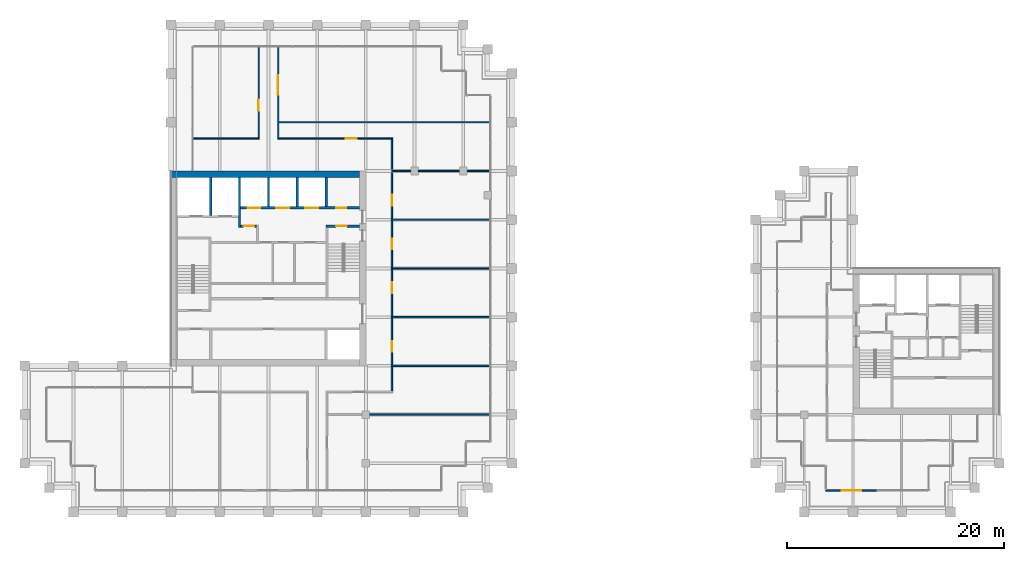
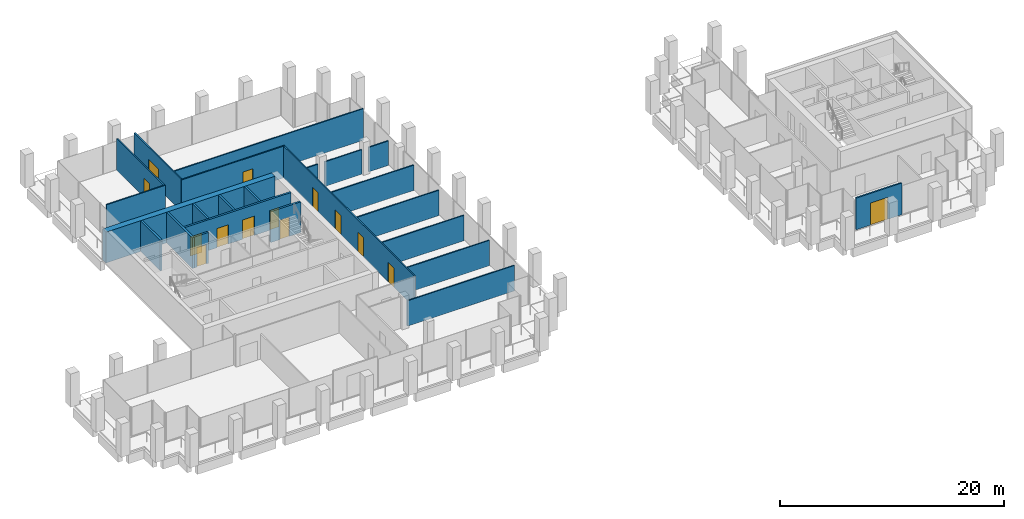
# One storey, part 37 of 40: 24 walls, 14 doors, 14 openings.
"""IFC4 building model written with IfcOpenShell, lengths in metres."""

from ifc_helpers import new_model, si_unit, direction, frame, frame_2d, origin, place, context, subcontext, project, spatial, rectangle, extrude, material, layer, layer_set, type_object, element, fill, save


model = new_model("IFC4")

# Units and contexts
model_context = context("Model", 3, precision=1e-05, world=origin(), true_north=direction((0.0, 1.0)))
body_context = subcontext(model_context, "Body", "Model", "MODEL_VIEW")
ifc_project = project(units=[si_unit("LENGTHUNIT", "METRE"), si_unit("AREAUNIT", "SQUARE_METRE"), si_unit("VOLUMEUNIT", "CUBIC_METRE"), si_unit("PLANEANGLEUNIT", "RADIAN"), si_unit("MASSUNIT", "GRAM", prefix="KILO")], contexts=[model_context])

# Site, building, storey
site_placement = place(None, origin())
site = spatial("IfcSite", under=ifc_project, at=site_placement, CompositionType="ELEMENT")
building_placement = place(site_placement, origin())
building = spatial("IfcBuilding", under=site, at=building_placement, Name="Altepetl Exchange Towers", CompositionType="ELEMENT")
storey_placement = place(building_placement, frame((0.0, 0.0, 176.199951171875)))
storey = spatial("IfcBuildingStorey", under=building, at=storey_placement, Name="L44", CompositionType="ELEMENT", Elevation=176.199951171875)

# Wall
ifc_material_1 = material(Name="Concrete C70/85", Category="concrete")
ifc_layer_1 = layer(ifc_material_1, 0.60009765625)
ifc_layer_set_1 = layer_set([ifc_layer_1], Name="Concrete C70/85")
wall_type_1 = type_object("IfcWallType", Name="Core wall 600 reinforced concrete", PredefinedType="SHEAR", material=ifc_layer_set_1)
wall_1_placement = place(storey_placement, frame((40.5, 58.199951171875, 0.0)))
element("IfcWall", 1, at=wall_1_placement, inside=storey, type_object=wall_type_1, Name="wall:A:L44:K-coreN", PredefinedType="SHEAR", context=body_context, shape_type="SweptSolid", body=[
    extrude(rectangle(XDim=17.39990234375, YDim=0.60009765625, at=frame_2d((8.699951171875, 0.0))), origin(), (0.0, 0.0, 1.0), 3.35009765625),
])

# Wall, opening, door
ifc_material_2 = material(Name="Aluminium composite cladding", Category="aluminium")
ifc_layer_2 = layer(ifc_material_2, 0.14990234375)
ifc_layer_set_2 = layer_set([ifc_layer_2], Name="Aluminium composite cladding")
wall_type_2 = type_object("IfcWallType", Name="Infill wall 150 aluminium panel", PredefinedType="SOLIDWALL", material=ifc_layer_set_2)
wall_2_placement = place(storey_placement, frame((101.0, 29.0, 0.0)))
wall_2 = element("IfcWall", 2, at=wall_2_placement, inside=storey, type_object=wall_type_2, Name="Loggia door bay wall", PredefinedType="SOLIDWALL", context=body_context, shape_type="SweptSolid", body=[
    extrude(rectangle(XDim=4.71240234375, YDim=0.14990234375, at=frame_2d((2.356201171875, 0.0))), origin(), (0.0, 0.0, 1.0), 3.449951171875),
])
opening_1_placement = place(wall_2_placement, frame((1.456298828125, 0.0, 0.0)))
opening_1 = element("IfcOpeningElement", 3, at=opening_1_placement, cuts=wall_2, Name="Opening L44.B90", PredefinedType="OPENING", context=body_context, shape_type="SweptSolid", body=[
    extrude(rectangle(XDim=1.800048828125, YDim=2.39990234375, at=frame_2d((0.89990234375, 1.199951171875))), frame((0.0, 0.0849609375, 0.0), z_axis=(0.0, -1.0, 0.0), x_axis=(1.0, 0.0, 0.0)), (0.0, 0.0, 1.0), 0.169921875),
])
ifc_material_3 = material(Name="Aluminium 6063-T6 and glass", Category="aluminium")
door_type_1 = type_object("IfcDoorType", Name="Glazed door pair 1800x2400", OperationType="DOUBLE_DOOR_DOUBLE_SWING", PredefinedType="NOTDEFINED", material=ifc_material_3)
door_1_placement = place(opening_1_placement, frame((1.800048828125, 0.0, 0.0), x_axis=(-1.0, 0.0, 0.0)))
door_1 = element("IfcDoor", 4, at=door_1_placement, inside=storey, type_object=door_type_1, Name="Loggia door", OperationType="DOUBLE_DOOR_DOUBLE_SWING", OverallHeight=2.39990234375, OverallWidth=1.800048828125, PredefinedType="NOTDEFINED", context=body_context, shape_type="SweptSolid", body=[
    extrude(rectangle(XDim=1.800048828125, YDim=2.39990234375, at=frame_2d((0.89990234375, 1.199951171875))), frame((0.0, 0.02490234375, 0.0), z_axis=(0.0, -1.0, 0.0), x_axis=(1.0, 0.0, 0.0)), (0.0, 0.0, 1.0), 0.050048828125),
])
fill(opening_1, door_1)

ifc_material_4 = material(Name="Concrete blockwork", Category="masonry")
ifc_layer_3 = layer(ifc_material_4, 0.199951171875)
ifc_layer_set_3 = layer_set([ifc_layer_3], Name="Concrete blockwork")
wall_type_3 = type_object("IfcWallType", Name="Lobby wall 200 blockwork", PredefinedType="PARTITIONING", material=ifc_layer_set_3)
wall_3_placement = place(storey_placement, frame((46.933349609375, 53.39990234375, 0.0)))
wall_3 = element("IfcWall", 5, at=wall_3_placement, inside=storey, type_object=wall_type_3, Name="wall:A:L44:K-ffN", PredefinedType="PARTITIONING", context=body_context, shape_type="SweptSolid", body=[
    extrude(rectangle(XDim=1.466552734375, YDim=0.199951171875, at=frame_2d((0.7333984375, 0.0))), origin(), (0.0, 0.0, 1.0), 3.35009765625),
])
opening_2_placement = place(wall_3_placement, frame((0.2666015625, 0.0, 0.0)))
opening_2 = element("IfcOpeningElement", 6, at=opening_2_placement, cuts=wall_3, Name="Opening L44.A65", PredefinedType="OPENING", context=body_context, shape_type="SweptSolid", body=[
    extrude(rectangle(XDim=1.0, YDim=2.10009765625, at=frame_2d((0.5, 1.050048828125))), frame((0.0, 0.10986328125, 0.0), z_axis=(0.0, -1.0, 0.0), x_axis=(1.0, 0.0, 0.0)), (0.0, 0.0, 1.0), 0.219970703125),
])
ifc_material_5 = material(Name="Steel and timber fire door", Category="steel")
door_type_2 = type_object("IfcDoorType", Name="Fire door 1000 x 2100 stair and lobby", OperationType="SINGLE_SWING_LEFT", PredefinedType="DOOR", material=ifc_material_5)
door_2_placement = place(opening_2_placement, frame((1.0, 0.0, 0.0), x_axis=(-1.0, 0.0, 0.0)))
door_2 = element("IfcDoor", 7, at=door_2_placement, inside=storey, type_object=door_type_2, Name="door:A:L44:K-dffN", OperationType="SINGLE_SWING_RIGHT", OverallHeight=2.10009765625, OverallWidth=1.0, PredefinedType="DOOR", context=body_context, shape_type="SweptSolid", body=[
    extrude(rectangle(XDim=1.0, YDim=2.10009765625, at=frame_2d((0.5, 1.050048828125))), frame((0.0, 0.02490234375, 0.0), z_axis=(0.0, -1.0, 0.0), x_axis=(1.0, 0.0, 0.0)), (0.0, 0.0, 1.0), 0.050048828125),
])
fill(opening_2, door_2)

# Walls
ifc_material_6 = material(Name="Timber panels on aluminium track", Category="wood")
ifc_layer_4 = layer(ifc_material_6, 0.125)
ifc_layer_set_4 = layer_set([ifc_layer_4], Name="Timber panels on aluminium track")
wall_type_4 = type_object("IfcWallType", Name="Operable acoustic partition 125", PredefinedType="MOVABLE", material=ifc_layer_set_4)
wall_4_placement = place(storey_placement, frame((60.89990234375, 45.0, 0.0)))
element("IfcWall", 8, at=wall_4_placement, inside=storey, type_object=wall_type_4, Name="wall:A:L44:P06", PredefinedType="MOVABLE", context=body_context, shape_type="SweptSolid", body=[
    extrude(rectangle(XDim=9.0, YDim=0.125, at=frame_2d((4.5, 0.0))), origin(), (0.0, 0.0, 1.0), 2.76611328125),
])
ifc_material_7 = material(Name="Gypsum board on steel studs", Category="steel")
ifc_layer_5 = layer(ifc_material_7, 0.125)
ifc_layer_set_5 = layer_set([ifc_layer_5], Name="Gypsum board on steel studs")
wall_type_5 = type_object("IfcWallType", Name="Partition 125 gypsum board on steel studs", PredefinedType="PARTITIONING", material=ifc_layer_set_5)
wall_5_placement = place(storey_placement, frame((58.85009765625, 36.0, 0.0)))
element("IfcWall", 9, at=wall_5_placement, inside=storey, type_object=wall_type_5, Name="wall:A:L44:P02", PredefinedType="PARTITIONING", context=body_context, shape_type="SweptSolid", body=[
    extrude(rectangle(XDim=11.0498046875, YDim=0.125, at=frame_2d((5.52490234375, 0.0))), origin(), (0.0, 0.0, 1.0), 2.76611328125),
])
for number, where, name in (
    (10, (60.89990234375, 40.5, 0.0), "wall:A:L44:P05"),
    (11, (60.89990234375, 49.5, 0.0), "wall:A:L44:P07"),
    (12, (60.89990234375, 54.0, 0.0), "wall:A:L44:P08"),
):
    element("IfcWall", number, at=place(storey_placement, frame(where)), inside=storey, type_object=wall_type_5, Name=name, PredefinedType="PARTITIONING", context=body_context, shape_type="SweptSolid", body=[
        extrude(rectangle(XDim=9.0, YDim=0.125, at=frame_2d((4.5, 0.0))), origin(), (0.0, 0.0, 1.0), 2.76611328125),
    ])
wall_6_placement = place(storey_placement, frame((60.89990234375, 58.5, 0.0)))
element("IfcWall", 13, at=wall_6_placement, inside=storey, type_object=wall_type_5, Name="wall:A:L44:P09", PredefinedType="PARTITIONING", context=body_context, shape_type="SweptSolid", body=[
    extrude(rectangle(XDim=1.75, YDim=0.125, at=frame_2d((0.875, 0.0))), origin(), (0.0, 0.0, 1.0), 2.676025390625),
])
wall_7_placement = place(storey_placement, frame((63.35009765625, 58.5, 0.0)))
element("IfcWall", 14, at=wall_7_placement, inside=storey, type_object=wall_type_5, Name="wall:A:L44:P10", PredefinedType="PARTITIONING", context=body_context, shape_type="SweptSolid", body=[
    extrude(rectangle(XDim=3.7998046875, YDim=0.125, at=frame_2d((1.89990234375, 0.0))), origin(), (0.0, 0.0, 1.0), 2.676025390625),
])
wall_8_placement = place(storey_placement, frame((67.85009765625, 58.5, 0.0)))
element("IfcWall", 15, at=wall_8_placement, inside=storey, type_object=wall_type_5, Name="wall:A:L44:P11", PredefinedType="PARTITIONING", context=body_context, shape_type="SweptSolid", body=[
    extrude(rectangle(XDim=2.0498046875, YDim=0.125, at=frame_2d((1.02490234375, 0.0))), origin(), (0.0, 0.0, 1.0), 2.676025390625),
])
wall_9_placement = place(storey_placement, frame((42.60009765625, 61.5, 0.0)))
element("IfcWall", 16, at=wall_9_placement, inside=storey, type_object=wall_type_5, Name="wall:A:L44:P12", PredefinedType="PARTITIONING", context=body_context, shape_type="SweptSolid", body=[
    extrude(rectangle(XDim=6.0625, YDim=0.125, at=frame_2d((3.03125, 0.0))), origin(), (0.0, 0.0, 1.0), 3.449951171875),
])

# Wall, opening, door
wall_10_placement = place(storey_placement, frame((50.33740234375, 61.5, 0.0)))
wall_10 = element("IfcWall", 17, at=wall_10_placement, inside=storey, type_object=wall_type_5, Name="wall:A:L44:P13", PredefinedType="PARTITIONING", context=body_context, shape_type="SweptSolid", body=[
    extrude(rectangle(XDim=10.625, YDim=0.125, at=frame_2d((5.3125, 0.0))), origin(), (0.0, 0.0, 1.0), 3.449951171875),
])
opening_3_placement = place(wall_10_placement, frame((6.3173828125, 0.0, 0.0)))
opening_3 = element("IfcOpeningElement", 18, at=opening_3_placement, cuts=wall_10, Name="Opening L44.A09", PredefinedType="OPENING", context=body_context, shape_type="SweptSolid", body=[
    extrude(rectangle(XDim=1.0, YDim=2.10009765625, at=frame_2d((0.5, 1.050048828125))), frame((0.0, 0.072509765625, 0.0), z_axis=(0.0, -1.0, 0.0), x_axis=(1.0, 0.0, 0.0)), (0.0, 0.0, 1.0), 0.14501953125),
])
door_type_3 = type_object("IfcDoorType", Name="Fire door 1000 x 2100 single leaf", OperationType="SINGLE_SWING_LEFT", PredefinedType="DOOR", material=ifc_material_5)
door_3_placement = place(opening_3_placement, frame((1.0, 0.0, 0.0), x_axis=(-1.0, 0.0, 0.0)))
door_3 = element("IfcDoor", 19, at=door_3_placement, inside=storey, type_object=door_type_3, Name="door:A:L44:09", OperationType="SINGLE_SWING_LEFT", OverallHeight=2.10009765625, OverallWidth=1.0, PredefinedType="DOOR", context=body_context, shape_type="SweptSolid", body=[
    extrude(rectangle(XDim=1.0, YDim=2.10009765625, at=frame_2d((0.5, 1.050048828125))), frame((0.0, 0.02490234375, 0.0), z_axis=(0.0, -1.0, 0.0), x_axis=(1.0, 0.0, 0.0)), (0.0, 0.0, 1.0), 0.050048828125),
])
fill(opening_3, door_3)

# Wall
wall_11_placement = place(storey_placement, frame((50.39990234375, 63.0, 0.0)))
element("IfcWall", 20, at=wall_11_placement, inside=storey, type_object=wall_type_5, Name="wall:A:L44:P14", PredefinedType="PARTITIONING", context=body_context, shape_type="SweptSolid", body=[
    extrude(rectangle(XDim=19.5, YDim=0.125, at=frame_2d((9.75, 0.0))), origin(), (0.0, 0.0, 1.0), 3.449951171875),
])

# Wall, opening, door
wall_12_placement = place(storey_placement, frame((48.60009765625, 61.5625, 0.0), z_axis=(0.0, 0.0, 1.0), x_axis=(0.0, 1.0, 0.0)))
wall_12 = element("IfcWall", 21, at=wall_12_placement, inside=storey, type_object=wall_type_5, Name="wall:A:L44:P17", PredefinedType="PARTITIONING", context=body_context, shape_type="SweptSolid", body=[
    extrude(rectangle(XDim=8.33740234375, YDim=0.125, at=frame_2d((4.168701171875, 0.0))), origin(), (0.0, 0.0, 1.0), 3.449951171875),
])
opening_4_placement = place(wall_12_placement, frame((2.49951171875, 0.0, 0.0)))
opening_4 = element("IfcOpeningElement", 22, at=opening_4_placement, cuts=wall_12, Name="Opening L44.A11", PredefinedType="OPENING", context=body_context, shape_type="SweptSolid", body=[
    extrude(rectangle(XDim=1.0, YDim=2.10009765625, at=frame_2d((0.5, 1.050048828125))), frame((0.0, 0.072509765625, 0.0), z_axis=(0.0, -1.0, 0.0), x_axis=(1.0, 0.0, 0.0)), (0.0, 0.0, 1.0), 0.14501953125),
])
door_4_placement = place(opening_4_placement, origin())
door_4 = element("IfcDoor", 23, at=door_4_placement, inside=storey, type_object=door_type_3, Name="door:A:L44:11", OperationType="SINGLE_SWING_RIGHT", OverallHeight=2.10009765625, OverallWidth=1.0, PredefinedType="DOOR", context=body_context, shape_type="SweptSolid", body=[
    extrude(rectangle(XDim=1.0, YDim=2.10009765625, at=frame_2d((0.5, 1.050048828125))), frame((0.0, 0.02490234375, 0.0), z_axis=(0.0, -1.0, 0.0), x_axis=(1.0, 0.0, 0.0)), (0.0, 0.0, 1.0), 0.050048828125),
])
fill(opening_4, door_4)

wall_13_placement = place(storey_placement, frame((50.39990234375, 61.5625, 0.0), z_axis=(0.0, 0.0, 1.0), x_axis=(0.0, 1.0, 0.0)))
wall_13 = element("IfcWall", 24, at=wall_13_placement, inside=storey, type_object=wall_type_5, Name="wall:A:L44:P18", PredefinedType="PARTITIONING", context=body_context, shape_type="SweptSolid", body=[
    extrude(rectangle(XDim=8.33740234375, YDim=0.125, at=frame_2d((4.168701171875, 0.0))), origin(), (0.0, 0.0, 1.0), 3.449951171875),
])
opening_5_placement = place(wall_13_placement, frame((3.987548828125, 0.0, 0.0)))
opening_5 = element("IfcOpeningElement", 25, at=opening_5_placement, cuts=wall_13, Name="Opening L44.A10", PredefinedType="OPENING", context=body_context, shape_type="SweptSolid", body=[
    extrude(rectangle(XDim=1.800048828125, YDim=2.10009765625, at=frame_2d((0.89990234375, 1.050048828125))), frame((0.0, 0.072509765625, 0.0), z_axis=(0.0, -1.0, 0.0), x_axis=(1.0, 0.0, 0.0)), (0.0, 0.0, 1.0), 0.14501953125),
])
door_type_4 = type_object("IfcDoorType", Name="Fire door 1800 x 2100 double leaf", OperationType="DOUBLE_DOOR_SINGLE_SWING", PredefinedType="DOOR", material=ifc_material_5)
door_5_placement = place(opening_5_placement, frame((1.800048828125, 0.0, 0.0), x_axis=(-1.0, 0.0, 0.0)))
door_5 = element("IfcDoor", 26, at=door_5_placement, inside=storey, type_object=door_type_4, Name="door:A:L44:10", OperationType="DOUBLE_DOOR_SINGLE_SWING", OverallHeight=2.10009765625, OverallWidth=1.800048828125, PredefinedType="DOOR", context=body_context, shape_type="SweptSolid", body=[
    extrude(rectangle(XDim=1.800048828125, YDim=2.10009765625, at=frame_2d((0.89990234375, 1.050048828125))), frame((0.0, 0.02490234375, 0.0), z_axis=(0.0, -1.0, 0.0), x_axis=(1.0, 0.0, 0.0)), (0.0, 0.0, 1.0), 0.050048828125),
])
fill(opening_5, door_5)

# Wall, openings, doors
wall_14_placement = place(storey_placement, frame((60.89990234375, 38.16259765625, 0.0), z_axis=(0.0, 0.0, 1.0), x_axis=(0.0, 1.0, 0.0)))
wall_14 = element("IfcWall", 27, at=wall_14_placement, inside=storey, type_object=wall_type_5, Name="wall:A:L44:P21", PredefinedType="PARTITIONING", context=body_context, shape_type="SweptSolid", body=[
    extrude(rectangle(XDim=23.27490234375, YDim=0.125, at=frame_2d((11.637451171875, 0.0))), origin(), (0.0, 0.0, 1.0), 3.449951171875),
])
opening_6_placement = place(wall_14_placement, frame((3.632568359375, 0.0, 0.0)))
opening_6 = element("IfcOpeningElement", 28, at=opening_6_placement, cuts=wall_14, Name="Opening L44.A05", PredefinedType="OPENING", context=body_context, shape_type="SweptSolid", body=[
    extrude(rectangle(XDim=1.0, YDim=2.10009765625, at=frame_2d((0.5, 1.050048828125))), frame((0.0, 0.072509765625, 0.0), z_axis=(0.0, -1.0, 0.0), x_axis=(1.0, 0.0, 0.0)), (0.0, 0.0, 1.0), 0.14501953125),
])
opening_7_placement = place(wall_14_placement, frame((9.04248046875, 0.0, 0.0)))
opening_7 = element("IfcOpeningElement", 29, at=opening_7_placement, cuts=wall_14, Name="Opening L44.A06", PredefinedType="OPENING", context=body_context, shape_type="SweptSolid", body=[
    extrude(rectangle(XDim=1.0, YDim=2.10009765625, at=frame_2d((0.5, 1.050048828125))), frame((0.0, 0.072509765625, 0.0), z_axis=(0.0, -1.0, 0.0), x_axis=(1.0, 0.0, 0.0)), (0.0, 0.0, 1.0), 0.14501953125),
])
opening_8_placement = place(wall_14_placement, frame((13.08740234375, 0.0, 0.0)))
opening_8 = element("IfcOpeningElement", 30, at=opening_8_placement, cuts=wall_14, Name="Opening L44.A07", PredefinedType="OPENING", context=body_context, shape_type="SweptSolid", body=[
    extrude(rectangle(XDim=1.0, YDim=2.10009765625, at=frame_2d((0.5, 1.050048828125))), frame((0.0, 0.072509765625, 0.0), z_axis=(0.0, -1.0, 0.0), x_axis=(1.0, 0.0, 0.0)), (0.0, 0.0, 1.0), 0.14501953125),
])
opening_9_placement = place(wall_14_placement, frame((17.132568359375, 0.0, 0.0)))
opening_9 = element("IfcOpeningElement", 31, at=opening_9_placement, cuts=wall_14, Name="Opening L44.A08", PredefinedType="OPENING", context=body_context, shape_type="SweptSolid", body=[
    extrude(rectangle(XDim=1.0, YDim=2.10009765625, at=frame_2d((0.5, 1.050048828125))), frame((0.0, 0.072509765625, 0.0), z_axis=(0.0, -1.0, 0.0), x_axis=(1.0, 0.0, 0.0)), (0.0, 0.0, 1.0), 0.14501953125),
])
door_6_placement = place(opening_6_placement, frame((1.0, 0.0, 0.0), x_axis=(-1.0, 0.0, 0.0)))
door_6 = element("IfcDoor", 32, at=door_6_placement, inside=storey, type_object=door_type_3, Name="door:A:L44:05", OperationType="SINGLE_SWING_LEFT", OverallHeight=2.10009765625, OverallWidth=1.0, PredefinedType="DOOR", context=body_context, shape_type="SweptSolid", body=[
    extrude(rectangle(XDim=1.0, YDim=2.10009765625, at=frame_2d((0.5, 1.050048828125))), frame((0.0, 0.02490234375, 0.0), z_axis=(0.0, -1.0, 0.0), x_axis=(1.0, 0.0, 0.0)), (0.0, 0.0, 1.0), 0.050048828125),
])
fill(opening_6, door_6)
door_7_placement = place(opening_7_placement, frame((1.0, 0.0, 0.0), x_axis=(-1.0, 0.0, 0.0)))
door_7 = element("IfcDoor", 33, at=door_7_placement, inside=storey, type_object=door_type_3, Name="door:A:L44:06", OperationType="SINGLE_SWING_RIGHT", OverallHeight=2.10009765625, OverallWidth=1.0, PredefinedType="DOOR", context=body_context, shape_type="SweptSolid", body=[
    extrude(rectangle(XDim=1.0, YDim=2.10009765625, at=frame_2d((0.5, 1.050048828125))), frame((0.0, 0.02490234375, 0.0), z_axis=(0.0, -1.0, 0.0), x_axis=(1.0, 0.0, 0.0)), (0.0, 0.0, 1.0), 0.050048828125),
])
fill(opening_7, door_7)
door_8_placement = place(opening_8_placement, frame((1.0, 0.0, 0.0), x_axis=(-1.0, 0.0, 0.0)))
door_8 = element("IfcDoor", 34, at=door_8_placement, inside=storey, type_object=door_type_3, Name="door:A:L44:07", OperationType="SINGLE_SWING_LEFT", OverallHeight=2.10009765625, OverallWidth=1.0, PredefinedType="DOOR", context=body_context, shape_type="SweptSolid", body=[
    extrude(rectangle(XDim=1.0, YDim=2.10009765625, at=frame_2d((0.5, 1.050048828125))), frame((0.0, 0.02490234375, 0.0), z_axis=(0.0, -1.0, 0.0), x_axis=(1.0, 0.0, 0.0)), (0.0, 0.0, 1.0), 0.050048828125),
])
fill(opening_8, door_8)
door_9_placement = place(opening_9_placement, frame((1.0, 0.0, 0.0), x_axis=(-1.0, 0.0, 0.0)))
door_9 = element("IfcDoor", 35, at=door_9_placement, inside=storey, type_object=door_type_3, Name="door:A:L44:08", OperationType="SINGLE_SWING_RIGHT", OverallHeight=2.10009765625, OverallWidth=1.0, PredefinedType="DOOR", context=body_context, shape_type="SweptSolid", body=[
    extrude(rectangle(XDim=1.0, YDim=2.10009765625, at=frame_2d((0.5, 1.050048828125))), frame((0.0, 0.02490234375, 0.0), z_axis=(0.0, -1.0, 0.0), x_axis=(1.0, 0.0, 0.0)), (0.0, 0.0, 1.0), 0.050048828125),
])
fill(opening_9, door_9)

# Walls
ifc_material_8 = material(Name="Concrete C40/50", Category="concrete")
ifc_layer_6 = layer(ifc_material_8, 0.199951171875)
ifc_layer_set_6 = layer_set([ifc_layer_6], Name="Concrete C40/50")
wall_type_6 = type_object("IfcWallType", Name="Shaft wall 200 reinforced concrete", PredefinedType="SHEAR", material=ifc_layer_set_6)
wall_15_placement = place(storey_placement, frame((44.166748046875, 57.89990234375, 0.0), z_axis=(0.0, 0.0, 1.0), x_axis=(0.0, -1.0, 0.0)))
element("IfcWall", 36, at=wall_15_placement, inside=storey, type_object=wall_type_6, Name="wall:A:L44:K-divN1", PredefinedType="SHEAR", context=body_context, shape_type="SweptSolid", body=[
    extrude(rectangle(XDim=3.5, YDim=0.199951171875, at=frame_2d((1.75, 0.0))), origin(), (0.0, 0.0, 1.0), 3.35009765625),
])
wall_16_placement = place(storey_placement, frame((46.833251953125, 57.89990234375, 0.0), z_axis=(0.0, 0.0, 1.0), x_axis=(0.0, -1.0, 0.0)))
element("IfcWall", 37, at=wall_16_placement, inside=storey, type_object=wall_type_6, Name="wall:A:L44:K-divN2", PredefinedType="SHEAR", context=body_context, shape_type="SweptSolid", body=[
    extrude(rectangle(XDim=4.599853515625, YDim=0.199951171875, at=frame_2d((2.2998046875, 0.0))), origin(), (0.0, 0.0, 1.0), 3.35009765625),
])
for number, where, z_axis, x_axis, name in (
    (38, (49.5, 57.89990234375, 0.0), (0.0, 0.0, 1.0), (0.0, -1.0, 0.0), "wall:A:L44:K-divN3"),
    (39, (52.166748046875, 57.89990234375, 0.0), (0.0, 0.0, 1.0), (0.0, -1.0, 0.0), "wall:A:L44:K-divN4"),
    (40, (54.833251953125, 57.89990234375, 0.0), (0.0, 0.0, 1.0), (0.0, -1.0, 0.0), "wall:A:L44:K-divN5"),
):
    element("IfcWall", number, at=place(storey_placement, frame(where, z_axis=z_axis, x_axis=x_axis)), inside=storey, type_object=wall_type_6, Name=name, PredefinedType="SHEAR", context=body_context, shape_type="SweptSolid", body=[
        extrude(rectangle(XDim=2.699951171875, YDim=0.199951171875, at=frame_2d((1.35009765625, 0.0))), origin(), (0.0, 0.0, 1.0), 3.35009765625),
    ])

# Wall, openings, doors
wall_17_placement = place(storey_placement, frame((46.933349609375, 55.10009765625, 0.0)))
wall_17 = element("IfcWall", 41, at=wall_17_placement, inside=storey, type_object=wall_type_6, Name="wall:A:L44:K-frontNb", PredefinedType="SHEAR", context=body_context, shape_type="SweptSolid", body=[
    extrude(rectangle(XDim=10.966552734375, YDim=0.199951171875, at=frame_2d((5.4833984375, 0.0))), origin(), (0.0, 0.0, 1.0), 3.35009765625),
])
opening_10_placement = place(wall_17_placement, frame((8.83349609375, 0.0, 0.0)))
opening_10 = element("IfcOpeningElement", 42, at=opening_10_placement, cuts=wall_17, Name="Opening L44.A66", PredefinedType="OPENING", context=body_context, shape_type="SweptSolid", body=[
    extrude(rectangle(XDim=0.89990234375, YDim=2.10009765625, at=frame_2d((0.449951171875, 1.050048828125))), frame((0.0, 0.10986328125, 0.0), z_axis=(0.0, -1.0, 0.0), x_axis=(1.0, 0.0, 0.0)), (0.0, 0.0, 1.0), 0.219970703125),
])
opening_11_placement = place(wall_17_placement, frame((0.63330078125, 0.0, 0.0)))
opening_11 = element("IfcOpeningElement", 43, at=opening_11_placement, cuts=wall_17, Name="Opening L44.A75", PredefinedType="OPENING", context=body_context, shape_type="SweptSolid", body=[
    extrude(rectangle(XDim=1.199951171875, YDim=2.10009765625, at=frame_2d((0.60009765625, 1.050048828125))), frame((0.0, 0.10986328125, 0.0), z_axis=(0.0, -1.0, 0.0), x_axis=(1.0, 0.0, 0.0)), (0.0, 0.0, 1.0), 0.219970703125),
])
opening_12_placement = place(wall_17_placement, frame((3.300048828125, 0.0, 0.0)))
opening_12 = element("IfcOpeningElement", 44, at=opening_12_placement, cuts=wall_17, Name="Opening L44.A76", PredefinedType="OPENING", context=body_context, shape_type="SweptSolid", body=[
    extrude(rectangle(XDim=1.199951171875, YDim=2.10009765625, at=frame_2d((0.60009765625, 1.050048828125))), frame((0.0, 0.10986328125, 0.0), z_axis=(0.0, -1.0, 0.0), x_axis=(1.0, 0.0, 0.0)), (0.0, 0.0, 1.0), 0.219970703125),
])
opening_13_placement = place(wall_17_placement, frame((5.966796875, 0.0, 0.0)))
opening_13 = element("IfcOpeningElement", 45, at=opening_13_placement, cuts=wall_17, Name="Opening L44.A77", PredefinedType="OPENING", context=body_context, shape_type="SweptSolid", body=[
    extrude(rectangle(XDim=1.199951171875, YDim=2.10009765625, at=frame_2d((0.60009765625, 1.050048828125))), frame((0.0, 0.10986328125, 0.0), z_axis=(0.0, -1.0, 0.0), x_axis=(1.0, 0.0, 0.0)), (0.0, 0.0, 1.0), 0.219970703125),
])
door_type_5 = type_object("IfcDoorType", Name="Fire door 900 x 2100 service room", OperationType="SINGLE_SWING_LEFT", PredefinedType="DOOR", material=ifc_material_5)
door_10_placement = place(opening_10_placement, origin())
door_10 = element("IfcDoor", 46, at=door_10_placement, inside=storey, type_object=door_type_5, Name="door:A:L44:K-driser", OperationType="SINGLE_SWING_RIGHT", OverallHeight=2.10009765625, OverallWidth=0.89990234375, PredefinedType="DOOR", context=body_context, shape_type="SweptSolid", body=[
    extrude(rectangle(XDim=0.89990234375, YDim=2.10009765625, at=frame_2d((0.449951171875, 1.050048828125))), frame((0.0, 0.02490234375, 0.0), z_axis=(0.0, -1.0, 0.0), x_axis=(1.0, 0.0, 0.0)), (0.0, 0.0, 1.0), 0.050048828125),
])
fill(opening_10, door_10)
ifc_material_9 = material(Name="Stainless steel", Category="steel")
door_type_6 = type_object("IfcDoorType", Name="Lift landing door 1200 x 2100", OperationType="SLIDING_TO_LEFT", PredefinedType="DOOR", material=ifc_material_9)
door_11_placement = place(opening_11_placement, origin())
door_11 = element("IfcDoor", 47, at=door_11_placement, inside=storey, type_object=door_type_6, Name="Landing door P5", OperationType="SLIDING_TO_LEFT", OverallHeight=2.10009765625, OverallWidth=1.199951171875, PredefinedType="DOOR", context=body_context, shape_type="SweptSolid", body=[
    extrude(rectangle(XDim=1.199951171875, YDim=2.10009765625, at=frame_2d((0.60009765625, 1.050048828125))), frame((0.0, 0.02490234375, 0.0), z_axis=(0.0, -1.0, 0.0), x_axis=(1.0, 0.0, 0.0)), (0.0, 0.0, 1.0), 0.050048828125),
])
fill(opening_11, door_11)
door_12_placement = place(opening_12_placement, origin())
door_12 = element("IfcDoor", 48, at=door_12_placement, inside=storey, type_object=door_type_6, Name="Landing door P6", OperationType="SLIDING_TO_LEFT", OverallHeight=2.10009765625, OverallWidth=1.199951171875, PredefinedType="DOOR", context=body_context, shape_type="SweptSolid", body=[
    extrude(rectangle(XDim=1.199951171875, YDim=2.10009765625, at=frame_2d((0.60009765625, 1.050048828125))), frame((0.0, 0.02490234375, 0.0), z_axis=(0.0, -1.0, 0.0), x_axis=(1.0, 0.0, 0.0)), (0.0, 0.0, 1.0), 0.050048828125),
])
fill(opening_12, door_12)
door_13_placement = place(opening_13_placement, origin())
door_13 = element("IfcDoor", 49, at=door_13_placement, inside=storey, type_object=door_type_6, Name="Landing door P7", OperationType="SLIDING_TO_LEFT", OverallHeight=2.10009765625, OverallWidth=1.199951171875, PredefinedType="DOOR", context=body_context, shape_type="SweptSolid", body=[
    extrude(rectangle(XDim=1.199951171875, YDim=2.10009765625, at=frame_2d((0.60009765625, 1.050048828125))), frame((0.0, 0.02490234375, 0.0), z_axis=(0.0, -1.0, 0.0), x_axis=(1.0, 0.0, 0.0)), (0.0, 0.0, 1.0), 0.050048828125),
])
fill(opening_13, door_13)

# Wall, opening, door
ifc_layer_7 = layer(ifc_material_8, 0.199951171875)
ifc_layer_set_7 = layer_set([ifc_layer_7], Name="Concrete C40/50")
wall_type_7 = type_object("IfcWallType", Name="Stair wall 200 reinforced concrete", PredefinedType="SHEAR", material=ifc_layer_set_7)
wall_18_placement = place(storey_placement, frame((54.800048828125, 53.39990234375, 0.0)))
wall_18 = element("IfcWall", 50, at=wall_18_placement, inside=storey, type_object=wall_type_7, Name="wall:A:L44:K-stS2N", PredefinedType="SHEAR", context=body_context, shape_type="SweptSolid", body=[
    extrude(rectangle(XDim=3.099853515625, YDim=0.199951171875, at=frame_2d((1.5498046875, 0.0))), origin(), (0.0, 0.0, 1.0), 3.35009765625),
])
opening_14_placement = place(wall_18_placement, frame((0.949951171875, 0.0, 0.0)))
opening_14 = element("IfcOpeningElement", 51, at=opening_14_placement, cuts=wall_18, Name="Opening L44.A63", PredefinedType="OPENING", context=body_context, shape_type="SweptSolid", body=[
    extrude(rectangle(XDim=1.0, YDim=2.10009765625, at=frame_2d((0.5, 1.050048828125))), frame((0.0, 0.10986328125, 0.0), z_axis=(0.0, -1.0, 0.0), x_axis=(1.0, 0.0, 0.0)), (0.0, 0.0, 1.0), 0.219970703125),
])
door_14_placement = place(opening_14_placement, frame((1.0, 0.0, 0.0), x_axis=(-1.0, 0.0, 0.0)))
door_14 = element("IfcDoor", 52, at=door_14_placement, inside=storey, type_object=door_type_2, Name="door:A:L44:K-dS2in", OperationType="SINGLE_SWING_LEFT", OverallHeight=2.10009765625, OverallWidth=1.0, PredefinedType="DOOR", context=body_context, shape_type="SweptSolid", body=[
    extrude(rectangle(XDim=1.0, YDim=2.10009765625, at=frame_2d((0.5, 1.050048828125))), frame((0.0, 0.02490234375, 0.0), z_axis=(0.0, -1.0, 0.0), x_axis=(1.0, 0.0, 0.0)), (0.0, 0.0, 1.0), 0.050048828125),
])
fill(opening_14, door_14)

save(model, "model.ifc")
